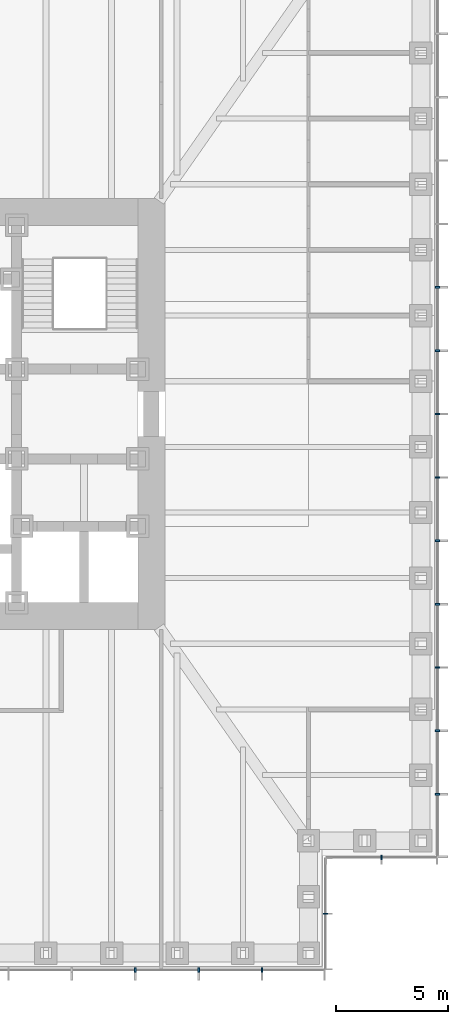
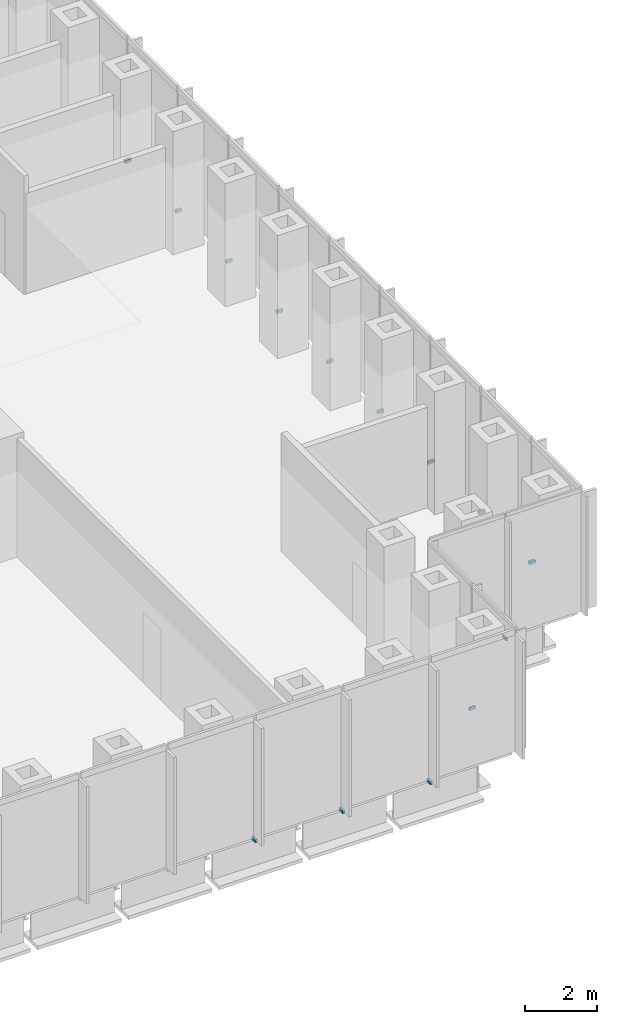
# One storey, part 13 of 16: 14 discrete accessories.
"""IFC4 building model written with IfcOpenShell, lengths in metres."""

import ifcopenshell
import ifcopenshell.guid

model = None  # the IFC model being written
_history = None  # IfcOwnerHistory: only IFC2X3 demands one
_inside = {}  # id of a spatial element -> (the spatial element, [elements in it])
_under = {}  # id of a project, library or spatial element -> (it, [spatial elements below it])
_declared = {}  # id of a project -> (the project, [libraries it declares])
_typed = {}  # id of a type object -> (the type object, [elements of that type])
_made_of = {}  # id of a material, layer set ... -> (it, [elements and type objects made of it])


def new_model(schema):
    """Start an empty IFC model of exactly this schema.

    Asked for "IFC4X3", IfcOpenShell would pick the latest addendum, in which some entities
    have other attributes; the version numbers below select the first issue.
    IFC2X3 requires an IfcOwnerHistory on every rooted entity: one is made here for all.
    """
    global model, _history
    if schema == "IFC4X3":
        model = ifcopenshell.file(schema_version=(4, 3, 0, 0))
    else:
        model = ifcopenshell.file(schema=schema)
    _inside.clear()
    _under.clear()
    _declared.clear()
    _typed.clear()
    _made_of.clear()
    _history = None
    if model.schema == "IFC2X3":
        org = make("IfcOrganization", Name="unknown")
        user = make(
            "IfcPersonAndOrganization",
            ThePerson=make("IfcPerson", FamilyName="unknown"),
            TheOrganization=org,
        )
        app = make(
            "IfcApplication",
            ApplicationDeveloper=org,
            Version="unknown",
            ApplicationFullName="unknown",
            ApplicationIdentifier="unknown",
        )
        _history = make(
            "IfcOwnerHistory",
            OwningUser=user,
            OwningApplication=app,
            ChangeAction="ADDED",
            CreationDate=0,
        )
    return model


def make(cls, **values):
    """One entity of the class cls with the attributes given. An attribute that is None is left unset."""
    return model.create_entity(
        cls, **{name: value for name, value in values.items() if value is not None}
    )


def rooted(cls, **values):
    """An entity with a GlobalId (a new one), such as an element, a storey or a relation."""
    return make(cls, GlobalId=ifcopenshell.guid.new(), OwnerHistory=_history, **values)


def si_unit(unit_type, name, prefix=None):
    """IfcSIUnit, for example si_unit("LENGTHUNIT", "METRE", prefix="MILLI")."""
    return make("IfcSIUnit", UnitType=unit_type, Prefix=prefix, Name=name)


def assignment(units):
    """IfcUnitAssignment: the units of a project."""
    return None if units is None else make("IfcUnitAssignment", Units=units)


def point(xyz):
    """IfcCartesianPoint."""
    return None if xyz is None else make("IfcCartesianPoint", Coordinates=xyz)


def direction(xyz):
    """IfcDirection."""
    return None if xyz is None else make("IfcDirection", DirectionRatios=xyz)


def frame(location, z_axis=None, x_axis=None):
    """IfcAxis2Placement3D, a coordinate frame: its origin and axes. An axis left out is left unset."""
    return make(
        "IfcAxis2Placement3D",
        Location=point(location),
        Axis=direction(z_axis),
        RefDirection=direction(x_axis),
    )


def frame_2d(location, x_axis=None):
    """IfcAxis2Placement2D, a coordinate frame in the plane: its origin and x axis."""
    return make(
        "IfcAxis2Placement2D", Location=point(location), RefDirection=direction(x_axis)
    )


def origin():
    """The frame at (0, 0, 0) with its axes left unset."""
    return frame((0.0, 0.0, 0.0))


def origin_2d():
    """The frame at (0, 0) in the plane with its x axis left unset."""
    return frame_2d((0.0, 0.0))


def place(relative_to, where):
    """IfcLocalPlacement: puts the frame where relative to a parent placement (None: the world)."""
    return make(
        "IfcLocalPlacement", PlacementRelTo=relative_to, RelativePlacement=where
    )


def context(
    kind, dimensions, precision=None, world=None, true_north=None, identifier=None
):
    """IfcGeometricRepresentationContext, for example the 3D "Model" context."""
    return make(
        "IfcGeometricRepresentationContext",
        ContextIdentifier=identifier,
        ContextType=kind,
        CoordinateSpaceDimension=dimensions,
        Precision=precision,
        WorldCoordinateSystem=world,
        TrueNorth=true_north,
    )


def subcontext(parent, identifier, kind, view, scale=None):
    """IfcGeometricRepresentationSubContext, for example "Body" below "Model"."""
    return make(
        "IfcGeometricRepresentationSubContext",
        ContextIdentifier=identifier,
        ContextType=kind,
        ParentContext=parent,
        TargetScale=scale,
        TargetView=view,
    )


def project(units=None, contexts=None):
    """IfcProject with its units and contexts."""
    return rooted(
        "IfcProject",
        Name="project",
        RepresentationContexts=contexts,
        UnitsInContext=assignment(units),
    )


def spatial(cls, under=None, at=None, **own):
    """A site, building, storey or space (cls), placed at a placement, below another one or the project."""
    s = rooted(cls, ObjectPlacement=at, **own)
    if under is not None:
        _under.setdefault(under.id(), (under, []))[1].append(s)
    return s


def profile(cls, at=None, kind="AREA", **sizes):
    """A parametric profile (cls). Its sizes go by their IFC names, for example OverallWidth=200.0."""
    return make(cls, ProfileType=kind, Position=at, **sizes)


def rectangle(**sizes):
    """IfcRectangleProfileDef."""
    return profile("IfcRectangleProfileDef", **sizes)


def extrude(swept, where, along, depth):
    """IfcExtrudedAreaSolid: the profile swept, set in the frame where, extruded along a direction by depth."""
    return make(
        "IfcExtrudedAreaSolid",
        SweptArea=swept,
        Position=where,
        ExtrudedDirection=direction(along),
        Depth=depth,
    )


def shape(context_of_items, identifier, shape_type, items):
    """IfcShapeRepresentation: the items that make up one representation, for example the "Body"."""
    return make(
        "IfcShapeRepresentation",
        ContextOfItems=context_of_items,
        RepresentationIdentifier=identifier,
        RepresentationType=shape_type,
        Items=items,
    )


def made_of(thing, what):
    """Note that an element or type object is made of a material, layer set ...; save() writes the relation."""
    if what is not None:
        _made_of.setdefault(what.id(), (what, []))[1].append(thing)
    return thing


def element(
    cls,
    number,
    at=None,
    inside=None,
    cuts=None,
    type_object=None,
    material=None,
    context=None,
    identifier="Body",
    shape_type=None,
    held_by="IfcProductDefinitionShape",
    body=None,
    shapes=None,
    **own,
):
    """One element of the class cls, such as IfcWall. Its Tag is "e" and its number.

    at: its placement. inside: the storey or other place that contains it. cuts: it is an
    opening in that element (IfcRelVoidsElement). A single representation is given by context,
    identifier, shape_type and body (its items); several are given by shapes. held_by: the class
    of the entity that holds the representations. save() writes the other relations.
    """
    e = rooted(cls, Tag="e%d" % number, ObjectPlacement=at, **own)
    if body is not None:
        shapes = [shape(context, identifier, shape_type, body)]
    if shapes is not None:
        e.Representation = make(held_by, Representations=shapes)
    if inside is not None:
        _inside.setdefault(inside.id(), (inside, []))[1].append(e)
    if cuts is not None:
        rooted(
            "IfcRelVoidsElement", RelatingBuildingElement=cuts, RelatedOpeningElement=e
        )
    if type_object is not None:
        _typed.setdefault(type_object.id(), (type_object, []))[1].append(e)
    return made_of(e, material)


def aggregate(whole, parts):
    """IfcRelAggregates: a whole, such as a stair, and the parts it consists of."""
    return rooted("IfcRelAggregates", RelatingObject=whole, RelatedObjects=parts)


def save(model, path):
    """Write the relations noted so far, then the file.

    IfcRelAggregates (storeys below a building ...), IfcRelContainedInSpatialStructure (elements
    in a storey), IfcRelDefinesByType, IfcRelAssociatesMaterial and IfcRelDeclares: one each for
    every whole, place, type object, material and project.
    """
    for whole, parts in _under.values():
        aggregate(whole, parts)
    for where, things in _inside.values():
        rooted(
            "IfcRelContainedInSpatialStructure",
            RelatedElements=things,
            RelatingStructure=where,
        )
    for kind, things in _typed.values():
        rooted("IfcRelDefinesByType", RelatedObjects=things, RelatingType=kind)
    for what, things in _made_of.values():
        rooted("IfcRelAssociatesMaterial", RelatedObjects=things, RelatingMaterial=what)
    for by, libraries in _declared.values():
        rooted("IfcRelDeclares", RelatingContext=by, RelatedDefinitions=libraries)
    model.write(path)


model = new_model("IFC4")

# Units and contexts
model_context = context("Model", 3, precision=1e-05, world=origin(), true_north=direction((0.0, 1.0)))
body_context = subcontext(model_context, "Body", "Model", "MODEL_VIEW")
ifc_project = project(units=[si_unit("LENGTHUNIT", "METRE"), si_unit("AREAUNIT", "SQUARE_METRE"), si_unit("VOLUMEUNIT", "CUBIC_METRE"), si_unit("PLANEANGLEUNIT", "RADIAN"), si_unit("MASSUNIT", "GRAM", prefix="KILO")], contexts=[model_context])

# Site, building, storey
site_placement = place(None, origin())
site = spatial("IfcSite", under=ifc_project, at=site_placement, CompositionType="ELEMENT")
building_placement = place(site_placement, origin())
building = spatial("IfcBuilding", under=site, at=building_placement, Name="Daluyong Arena Tower", CompositionType="ELEMENT")
storey_placement = place(building_placement, frame((0.0, 0.0, 51.699951171875)))
storey = spatial("IfcBuildingStorey", under=building, at=storey_placement, Name="L10", CompositionType="ELEMENT", Elevation=51.699951171875)

# Discrete accessories
for number, where, z_axis, x_axis, name in (
    (1, (67.28564453125, 55.25, -0.10009765625), (0.0, 0.0, 1.0), (1.0, 0.0, 0.0), "curtain wall L10 S anchor bracket 12"),
    (2, (70.107177734375, 55.25, -0.10009765625), (0.0, 0.0, 1.0), (1.0, 0.0, 0.0), "curtain wall L10 S anchor bracket 13"),
    (3, (72.928466796875, 55.25, -0.10009765625), (0.0, 0.0, 1.0), (1.0, 0.0, 0.0), "curtain wall L10 S anchor bracket 14"),
):
    element("IfcDiscreteAccessory", number, at=place(storey_placement, frame(where, z_axis=z_axis, x_axis=x_axis)), inside=storey, Name=name, PredefinedType="BRACKET", context=body_context, shape_type="SweptSolid", body=[
        extrude(rectangle(XDim=0.080078125, YDim=0.199951171875, at=origin_2d()), origin(), (0.0, 0.0, 1.0), 0.10009765625),
    ])
for number, where, z_axis, x_axis, name in (
    (4, (75.75, 57.75, -0.10009765625), (0.0, 0.0, 1.0), (0.0, 1.0, 0.0), "curtain wall L10 SE-E anchor bracket 2"),
    (5, (78.25, 60.25, -0.10009765625), (0.0, 0.0, 1.0), (1.0, 0.0, 0.0), "curtain wall L10 SE-S anchor bracket 2"),
):
    element("IfcDiscreteAccessory", number, at=place(storey_placement, frame(where, z_axis=z_axis, x_axis=x_axis)), inside=storey, Name=name, PredefinedType="BRACKET", context=body_context, shape_type="SweptSolid", body=[
        extrude(rectangle(XDim=0.06005859375, YDim=0.199951171875, at=origin_2d()), origin(), (0.0, 0.0, 1.0), 0.10009765625),
    ])
for number, where, z_axis, x_axis, name in (
    (6, (80.75, 63.071533203125, -0.10009765625), (0.0, 0.0, 1.0), (0.0, 1.0, 0.0), "curtain wall L10 E anchor bracket 2"),
    (7, (80.75, 65.892822265625, -0.10009765625), (0.0, 0.0, 1.0), (0.0, 1.0, 0.0), "curtain wall L10 E anchor bracket 3"),
    (8, (80.75, 68.71435546875, -0.10009765625), (0.0, 0.0, 1.0), (0.0, 1.0, 0.0), "curtain wall L10 E anchor bracket 4"),
    (9, (80.75, 71.53564453125, -0.10009765625), (0.0, 0.0, 1.0), (0.0, 1.0, 0.0), "curtain wall L10 E anchor bracket 5"),
    (10, (80.75, 74.357177734375, -0.10009765625), (0.0, 0.0, 1.0), (0.0, 1.0, 0.0), "curtain wall L10 E anchor bracket 6"),
    (11, (80.75, 77.178466796875, -0.10009765625), (0.0, 0.0, 1.0), (0.0, 1.0, 0.0), "curtain wall L10 E anchor bracket 7"),
    (12, (80.75, 80.0, -0.10009765625), (0.0, 0.0, 1.0), (0.0, 1.0, 0.0), "curtain wall L10 E anchor bracket 8"),
    (13, (80.75, 82.821533203125, -0.10009765625), (0.0, 0.0, 1.0), (0.0, 1.0, 0.0), "curtain wall L10 E anchor bracket 9"),
    (14, (80.75, 85.642822265625, -0.10009765625), (0.0, 0.0, 1.0), (0.0, 1.0, 0.0), "curtain wall L10 E anchor bracket 10"),
):
    element("IfcDiscreteAccessory", number, at=place(storey_placement, frame(where, z_axis=z_axis, x_axis=x_axis)), inside=storey, Name=name, PredefinedType="BRACKET", context=body_context, shape_type="SweptSolid", body=[
        extrude(rectangle(XDim=0.080078125, YDim=0.199951171875, at=origin_2d()), origin(), (0.0, 0.0, 1.0), 0.10009765625),
    ])

save(model, "model.ifc")
